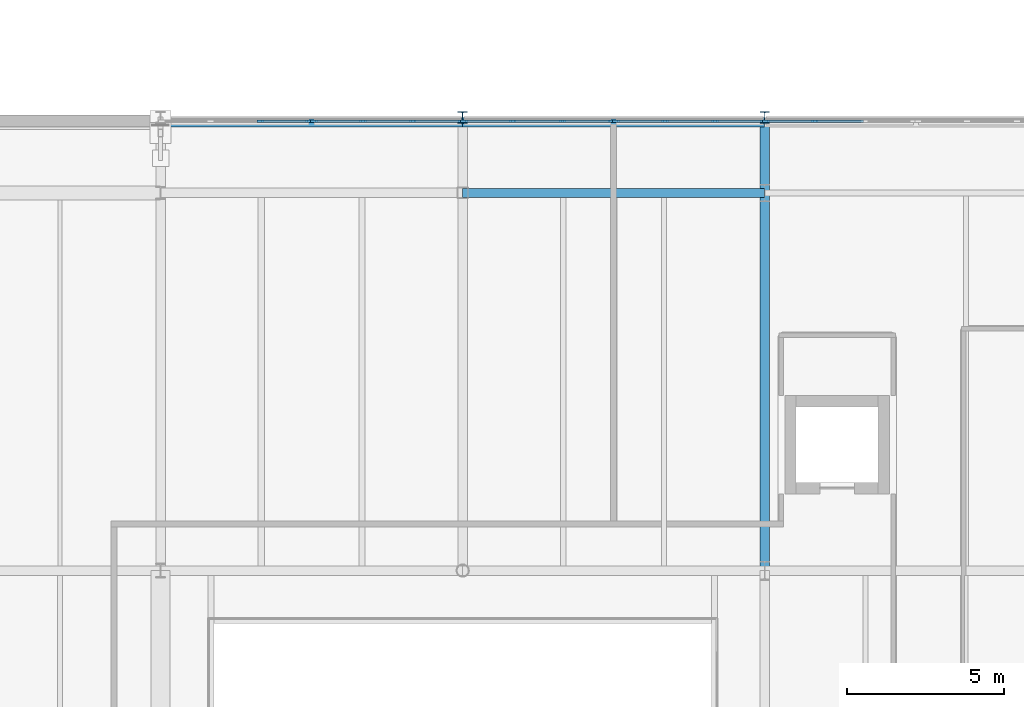
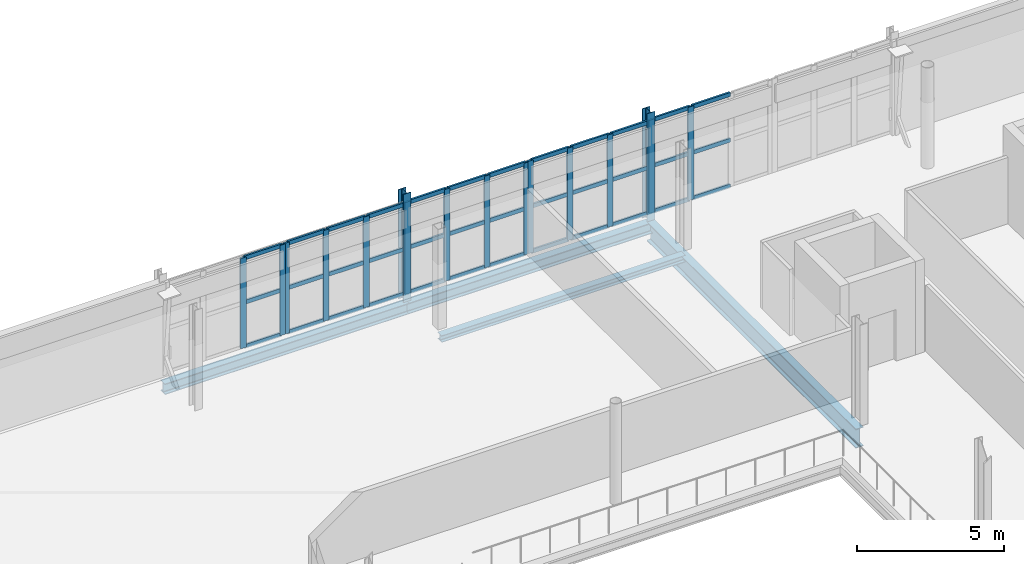
# One storey, part 31 of 90: 54 members, 4 beams, 5 elements without a shape of their own.
"""IFC4 building model written with IfcOpenShell, lengths in metres."""

from ifc_helpers import new_model, si_unit, direction, frame, origin, origin_2d, place, context, subcontext, project, spatial, rectangle, i_section, extrude, material, layer, layer_set, material_profile, profile_set, type_object, element, aggregate, save


model = new_model("IFC4")

# Units and contexts
model_context = context("Model", 3, precision=1e-05, world=origin(), true_north=direction((0.0, 1.0)))
body_context = subcontext(model_context, "Body", "Model", "MODEL_VIEW")
ifc_project = project(units=[si_unit("LENGTHUNIT", "METRE"), si_unit("AREAUNIT", "SQUARE_METRE"), si_unit("VOLUMEUNIT", "CUBIC_METRE"), si_unit("PLANEANGLEUNIT", "RADIAN"), si_unit("MASSUNIT", "GRAM", prefix="KILO")], contexts=[model_context])

# Site, building, storey
site_placement = place(None, origin())
site = spatial("IfcSite", under=ifc_project, at=site_placement, CompositionType="ELEMENT")
building_placement = place(site_placement, origin())
building = spatial("IfcBuilding", under=site, at=building_placement, Name="Zereglee Splitstone Museum", CompositionType="ELEMENT")
storey_placement = place(building_placement, frame((0.0, 0.0, 4.800048828125)))
storey = spatial("IfcBuildingStorey", under=building, at=storey_placement, Name="L01", CompositionType="ELEMENT", Elevation=4.800048828125)

# Curtain wall, members
ifc_material_1 = material(Name="Triple-glazed low-E argon glass and bronze-anodised aluminium", Category="aluminium")
ifc_layer_1 = layer(ifc_material_1, 0.219970703125)
ifc_layer_set_1 = layer_set([ifc_layer_1], Name="Triple-glazed low-E argon glass and bronze-anodised aluminium")
curtain_wall_type_1 = type_object("IfcCurtainWallType", Name="CW-0476-388", PredefinedType="USERDEFINED", material=ifc_layer_set_1)
curtain_wall_1_placement = place(storey_placement, origin())
curtain_wall_1 = element("IfcCurtainWall", 1, at=curtain_wall_1_placement, inside=storey, type_object=curtain_wall_type_1, Name="Glazed Curtain Wall CW-0476-388 (L01)", ObjectType="GLAZED CURTAIN WALL", PredefinedType="USERDEFINED")
ifc_material_2 = material(Name="Thermally broken bronze-anodised aluminium", Category="aluminium")
ifc_material_profile_1 = material_profile(ifc_material_2, rectangle(XDim=0.074951171875, YDim=0.219970703125, at=origin_2d()), Name="CW MULL 75x220")
ifc_profile_set_1 = profile_set([ifc_material_profile_1], Name="Thermally broken bronze-anodised aluminium")
member_type_1 = type_object("IfcMemberType", Name="CWM-02", PredefinedType="MULLION", material=ifc_profile_set_1)
member_1_placement = place(storey_placement, frame((117.986572265625, 52.679931640625, 0.0), z_axis=(0.0, 0.0, 1.0), x_axis=(0.0, -1.0, 0.0)))
member_1 = element("IfcMember", 2, at=member_1_placement, type_object=member_type_1, Name="CW-0476-388 mullion 3", PredefinedType="MULLION", context=body_context, shape_type="SweptSolid", body=[
    extrude(rectangle(XDim=0.074951171875, YDim=0.219970703125, at=origin_2d()), origin(), (0.0, 0.0, 1.0), 3.8798828125),
])
member_2_placement = place(storey_placement, frame((116.4375, 52.679931640625, 0.0), z_axis=(0.0, 0.0, 1.0), x_axis=(0.0, -1.0, 0.0)))
member_2 = element("IfcMember", 3, at=member_2_placement, type_object=member_type_1, Name="CW-0476-388 mullion 4", PredefinedType="MULLION", context=body_context, shape_type="SweptSolid", body=[
    extrude(rectangle(XDim=0.074951171875, YDim=0.219970703125, at=origin_2d()), origin(), (0.0, 0.0, 1.0), 3.8798828125),
])

ifc_layer_2 = layer(ifc_material_1, 0.219970703125)
ifc_layer_set_2 = layer_set([ifc_layer_2], Name="Triple-glazed low-E argon glass and bronze-anodised aluminium")
curtain_wall_type_2 = type_object("IfcCurtainWallType", Name="CW-0476-384", PredefinedType="USERDEFINED", material=ifc_layer_set_2)
curtain_wall_2_placement = place(storey_placement, origin())
curtain_wall_2 = element("IfcCurtainWall", 4, at=curtain_wall_2_placement, inside=storey, type_object=curtain_wall_type_2, Name="Glazed Curtain Wall CW-0476-384 (L01)", ObjectType="GLAZED CURTAIN WALL", PredefinedType="USERDEFINED")
member_3_placement = place(storey_placement, frame((116.362548828125, 52.679931640625, 0.0), z_axis=(0.0, 0.0, 1.0), x_axis=(0.0, -1.0, 0.0)))
member_3 = element("IfcMember", 5, at=member_3_placement, type_object=member_type_1, Name="CW-0476-384 mullion 1", PredefinedType="MULLION", context=body_context, shape_type="SweptSolid", body=[
    extrude(rectangle(XDim=0.074951171875, YDim=0.219970703125, at=origin_2d()), origin(), (0.0, 0.0, 1.0), 3.83984375),
])
member_4_placement = place(storey_placement, frame((114.813232421875, 52.679931640625, 0.0), z_axis=(0.0, 0.0, 1.0), x_axis=(0.0, -1.0, 0.0)))
member_4 = element("IfcMember", 6, at=member_4_placement, type_object=member_type_1, Name="CW-0476-384 mullion 2", PredefinedType="MULLION", context=body_context, shape_type="SweptSolid", body=[
    extrude(rectangle(XDim=0.074951171875, YDim=0.219970703125, at=origin_2d()), origin(), (0.0, 0.0, 1.0), 3.83984375),
])
member_5_placement = place(storey_placement, frame((113.2265625, 52.679931640625, 0.0), z_axis=(0.0, 0.0, 1.0), x_axis=(0.0, -1.0, 0.0)))
member_5 = element("IfcMember", 7, at=member_5_placement, type_object=member_type_1, Name="CW-0476-384 mullion 3", PredefinedType="MULLION", context=body_context, shape_type="SweptSolid", body=[
    extrude(rectangle(XDim=0.074951171875, YDim=0.219970703125, at=origin_2d()), origin(), (0.0, 0.0, 1.0), 3.83984375),
])
member_6_placement = place(storey_placement, frame((111.677490234375, 52.679931640625, 0.0), z_axis=(0.0, 0.0, 1.0), x_axis=(0.0, -1.0, 0.0)))
member_6 = element("IfcMember", 8, at=member_6_placement, type_object=member_type_1, Name="CW-0476-384 mullion 4", PredefinedType="MULLION", context=body_context, shape_type="SweptSolid", body=[
    extrude(rectangle(XDim=0.074951171875, YDim=0.219970703125, at=origin_2d()), origin(), (0.0, 0.0, 1.0), 3.83984375),
])

ifc_layer_3 = layer(ifc_material_1, 0.219970703125)
ifc_layer_set_3 = layer_set([ifc_layer_3], Name="Triple-glazed low-E argon glass and bronze-anodised aluminium")
curtain_wall_type_3 = type_object("IfcCurtainWallType", Name="CW-0476-382", PredefinedType="USERDEFINED", material=ifc_layer_set_3)
curtain_wall_3_placement = place(storey_placement, origin())
curtain_wall_3 = element("IfcCurtainWall", 9, at=curtain_wall_3_placement, inside=storey, type_object=curtain_wall_type_3, Name="Glazed Curtain Wall CW-0476-382 (L01)", ObjectType="GLAZED CURTAIN WALL", PredefinedType="USERDEFINED")
member_7_placement = place(storey_placement, frame((111.5224609375, 52.679931640625, 0.0), z_axis=(0.0, 0.0, 1.0), x_axis=(0.0, -1.0, 0.0)))
member_7 = element("IfcMember", 10, at=member_7_placement, type_object=member_type_1, Name="CW-0476-382 mullion 1", PredefinedType="MULLION", context=body_context, shape_type="SweptSolid", body=[
    extrude(rectangle(XDim=0.074951171875, YDim=0.219970703125, at=origin_2d()), origin(), (0.0, 0.0, 1.0), 3.820068359375),
])
member_8_placement = place(storey_placement, frame((109.973388671875, 52.679931640625, 0.0), z_axis=(0.0, 0.0, 1.0), x_axis=(0.0, -1.0, 0.0)))
member_8 = element("IfcMember", 11, at=member_8_placement, type_object=member_type_1, Name="CW-0476-382 mullion 2", PredefinedType="MULLION", context=body_context, shape_type="SweptSolid", body=[
    extrude(rectangle(XDim=0.074951171875, YDim=0.219970703125, at=origin_2d()), origin(), (0.0, 0.0, 1.0), 3.820068359375),
])
member_9_placement = place(storey_placement, frame((108.38671875, 52.679931640625, 0.0), z_axis=(0.0, 0.0, 1.0), x_axis=(0.0, -1.0, 0.0)))
member_9 = element("IfcMember", 12, at=member_9_placement, type_object=member_type_1, Name="CW-0476-382 mullion 3", PredefinedType="MULLION", context=body_context, shape_type="SweptSolid", body=[
    extrude(rectangle(XDim=0.074951171875, YDim=0.219970703125, at=origin_2d()), origin(), (0.0, 0.0, 1.0), 3.820068359375),
])
member_10_placement = place(storey_placement, frame((106.83740234375, 52.679931640625, 0.0), z_axis=(0.0, 0.0, 1.0), x_axis=(0.0, -1.0, 0.0)))
member_10 = element("IfcMember", 13, at=member_10_placement, type_object=member_type_1, Name="CW-0476-382 mullion 4", PredefinedType="MULLION", context=body_context, shape_type="SweptSolid", body=[
    extrude(rectangle(XDim=0.074951171875, YDim=0.219970703125, at=origin_2d()), origin(), (0.0, 0.0, 1.0), 3.820068359375),
])

ifc_layer_4 = layer(ifc_material_1, 0.219970703125)
ifc_layer_set_4 = layer_set([ifc_layer_4], Name="Triple-glazed low-E argon glass and bronze-anodised aluminium")
curtain_wall_type_4 = type_object("IfcCurtainWallType", Name="CW-0476-378", PredefinedType="USERDEFINED", material=ifc_layer_set_4)
curtain_wall_4_placement = place(storey_placement, origin())
curtain_wall_4 = element("IfcCurtainWall", 14, at=curtain_wall_4_placement, inside=storey, type_object=curtain_wall_type_4, Name="Glazed Curtain Wall CW-0476-378 (L01)", ObjectType="GLAZED CURTAIN WALL", PredefinedType="USERDEFINED")
member_11_placement = place(storey_placement, frame((106.762451171875, 52.679931640625, 0.0), z_axis=(0.0, 0.0, 1.0), x_axis=(0.0, -1.0, 0.0)))
member_11 = element("IfcMember", 15, at=member_11_placement, type_object=member_type_1, Name="CW-0476-378 mullion 1", PredefinedType="MULLION", context=body_context, shape_type="SweptSolid", body=[
    extrude(rectangle(XDim=0.074951171875, YDim=0.219970703125, at=origin_2d()), origin(), (0.0, 0.0, 1.0), 3.780029296875),
])
member_12_placement = place(storey_placement, frame((105.21337890625, 52.679931640625, 0.0), z_axis=(0.0, 0.0, 1.0), x_axis=(0.0, -1.0, 0.0)))
member_12 = element("IfcMember", 16, at=member_12_placement, type_object=member_type_1, Name="CW-0476-378 mullion 2", PredefinedType="MULLION", context=body_context, shape_type="SweptSolid", body=[
    extrude(rectangle(XDim=0.074951171875, YDim=0.219970703125, at=origin_2d()), origin(), (0.0, 0.0, 1.0), 3.780029296875),
])
member_13_placement = place(storey_placement, frame((103.626708984375, 52.679931640625, 0.0), z_axis=(0.0, 0.0, 1.0), x_axis=(0.0, -1.0, 0.0)))
member_13 = element("IfcMember", 17, at=member_13_placement, type_object=member_type_1, Name="CW-0476-378 mullion 3", PredefinedType="MULLION", context=body_context, shape_type="SweptSolid", body=[
    extrude(rectangle(XDim=0.074951171875, YDim=0.219970703125, at=origin_2d()), origin(), (0.0, 0.0, 1.0), 3.780029296875),
])
member_14_placement = place(storey_placement, frame((102.077392578125, 52.679931640625, 0.0), z_axis=(0.0, 0.0, 1.0), x_axis=(0.0, -1.0, 0.0)))
member_14 = element("IfcMember", 18, at=member_14_placement, type_object=member_type_1, Name="CW-0476-378 mullion 4", PredefinedType="MULLION", context=body_context, shape_type="SweptSolid", body=[
    extrude(rectangle(XDim=0.074951171875, YDim=0.219970703125, at=origin_2d()), origin(), (0.0, 0.0, 1.0), 3.780029296875),
])

ifc_layer_5 = layer(ifc_material_1, 0.219970703125)
ifc_layer_set_5 = layer_set([ifc_layer_5], Name="Triple-glazed low-E argon glass and bronze-anodised aluminium")
curtain_wall_type_5 = type_object("IfcCurtainWallType", Name="CW-0476-376", PredefinedType="USERDEFINED", material=ifc_layer_set_5)
curtain_wall_5_placement = place(storey_placement, origin())
curtain_wall_5 = element("IfcCurtainWall", 19, at=curtain_wall_5_placement, inside=storey, type_object=curtain_wall_type_5, Name="Glazed Curtain Wall CW-0476-376 (L01)", ObjectType="GLAZED CURTAIN WALL", PredefinedType="USERDEFINED")
member_15_placement = place(storey_placement, frame((101.922607421875, 52.679931640625, 0.0), z_axis=(0.0, 0.0, 1.0), x_axis=(0.0, -1.0, 0.0)))
member_15 = element("IfcMember", 20, at=member_15_placement, type_object=member_type_1, Name="CW-0476-376 mullion 1", PredefinedType="MULLION", context=body_context, shape_type="SweptSolid", body=[
    extrude(rectangle(XDim=0.074951171875, YDim=0.219970703125, at=origin_2d()), origin(), (0.0, 0.0, 1.0), 3.760009765625),
])
member_16_placement = place(storey_placement, frame((100.373291015625, 52.679931640625, 0.0), z_axis=(0.0, 0.0, 1.0), x_axis=(0.0, -1.0, 0.0)))
member_16 = element("IfcMember", 21, at=member_16_placement, type_object=member_type_1, Name="CW-0476-376 mullion 2", PredefinedType="MULLION", context=body_context, shape_type="SweptSolid", body=[
    extrude(rectangle(XDim=0.074951171875, YDim=0.219970703125, at=origin_2d()), origin(), (0.0, 0.0, 1.0), 3.760009765625),
])

# Member
ifc_material_profile_2 = material_profile(ifc_material_2, rectangle(XDim=0.074951171875, YDim=0.1650390625, at=origin_2d()), Name="CW TRAN 75x165")
ifc_profile_set_2 = profile_set([ifc_material_profile_2], Name="Thermally broken bronze-anodised aluminium")
member_type_2 = type_object("IfcMemberType", Name="CWT-02", PredefinedType="USERDEFINED", material=ifc_profile_set_2)
member_17_placement = place(storey_placement, frame((119.535888671875, 52.679931640625, 0.037353515625), z_axis=(-1.0, 0.0, 0.0), x_axis=(0.0, -1.0, 0.0)))
member_17 = element("IfcMember", 22, at=member_17_placement, type_object=member_type_2, Name="CW-0476-388 transom 2.1", ObjectType="TRANSOM", PredefinedType="USERDEFINED", context=body_context, shape_type="SweptSolid", body=[
    extrude(rectangle(XDim=0.074951171875, YDim=0.1650390625, at=origin_2d()), origin(), (0.0, 0.0, 1.0), 1.51171875),
])

member_18_placement = place(storey_placement, frame((119.535888671875, 52.679931640625, 1.93994140625), z_axis=(-1.0, 0.0, 0.0), x_axis=(0.0, -1.0, 0.0)))
member_18 = element("IfcMember", 23, at=member_18_placement, type_object=member_type_2, Name="CW-0476-388 transom 2.2", ObjectType="TRANSOM", PredefinedType="USERDEFINED", context=body_context, shape_type="SweptSolid", body=[
    extrude(rectangle(XDim=0.074951171875, YDim=0.1650390625, at=origin_2d()), origin(), (0.0, 0.0, 1.0), 1.51171875),
])

member_19_placement = place(storey_placement, frame((119.535888671875, 52.679931640625, 3.842529296875), z_axis=(-1.0, 0.0, 0.0), x_axis=(0.0, -1.0, 0.0)))
member_19 = element("IfcMember", 24, at=member_19_placement, type_object=member_type_2, Name="CW-0476-388 transom 2.3", ObjectType="TRANSOM", PredefinedType="USERDEFINED", context=body_context, shape_type="SweptSolid", body=[
    extrude(rectangle(XDim=0.074951171875, YDim=0.1650390625, at=origin_2d()), origin(), (0.0, 0.0, 1.0), 1.51171875),
])

member_20_placement = place(storey_placement, frame((117.94921875, 52.679931640625, 0.037353515625), z_axis=(-1.0, 0.0, 0.0), x_axis=(0.0, -1.0, 0.0)))
member_20 = element("IfcMember", 25, at=member_20_placement, type_object=member_type_2, Name="CW-0476-388 transom 3.1", ObjectType="TRANSOM", PredefinedType="USERDEFINED", context=body_context, shape_type="SweptSolid", body=[
    extrude(rectangle(XDim=0.074951171875, YDim=0.1650390625, at=origin_2d()), origin(), (0.0, 0.0, 1.0), 1.47412109375),
])

member_21_placement = place(storey_placement, frame((117.94921875, 52.679931640625, 1.93994140625), z_axis=(-1.0, 0.0, 0.0), x_axis=(0.0, -1.0, 0.0)))
member_21 = element("IfcMember", 26, at=member_21_placement, type_object=member_type_2, Name="CW-0476-388 transom 3.2", ObjectType="TRANSOM", PredefinedType="USERDEFINED", context=body_context, shape_type="SweptSolid", body=[
    extrude(rectangle(XDim=0.074951171875, YDim=0.1650390625, at=origin_2d()), origin(), (0.0, 0.0, 1.0), 1.47412109375),
])

member_22_placement = place(storey_placement, frame((117.94921875, 52.679931640625, 3.842529296875), z_axis=(-1.0, 0.0, 0.0), x_axis=(0.0, -1.0, 0.0)))
member_22 = element("IfcMember", 27, at=member_22_placement, type_object=member_type_2, Name="CW-0476-388 transom 3.3", ObjectType="TRANSOM", PredefinedType="USERDEFINED", context=body_context, shape_type="SweptSolid", body=[
    extrude(rectangle(XDim=0.074951171875, YDim=0.1650390625, at=origin_2d()), origin(), (0.0, 0.0, 1.0), 1.47412109375),
])

aggregate(curtain_wall_1, [member_1, member_2, member_17, member_18, member_19, member_20, member_21, member_22])

member_23_placement = place(storey_placement, frame((116.324951171875, 52.679931640625, 0.037353515625), z_axis=(-1.0, 0.0, 0.0), x_axis=(0.0, -1.0, 0.0)))
member_23 = element("IfcMember", 28, at=member_23_placement, type_object=member_type_2, Name="CW-0476-384 transom 1.1", ObjectType="TRANSOM", PredefinedType="USERDEFINED", context=body_context, shape_type="SweptSolid", body=[
    extrude(rectangle(XDim=0.074951171875, YDim=0.1650390625, at=origin_2d()), origin(), (0.0, 0.0, 1.0), 1.47412109375),
])

member_24_placement = place(storey_placement, frame((116.324951171875, 52.679931640625, 1.919921875), z_axis=(-1.0, 0.0, 0.0), x_axis=(0.0, -1.0, 0.0)))
member_24 = element("IfcMember", 29, at=member_24_placement, type_object=member_type_2, Name="CW-0476-384 transom 1.2", ObjectType="TRANSOM", PredefinedType="USERDEFINED", context=body_context, shape_type="SweptSolid", body=[
    extrude(rectangle(XDim=0.074951171875, YDim=0.1650390625, at=origin_2d()), origin(), (0.0, 0.0, 1.0), 1.47412109375),
])

member_25_placement = place(storey_placement, frame((116.324951171875, 52.679931640625, 3.802490234375), z_axis=(-1.0, 0.0, 0.0), x_axis=(0.0, -1.0, 0.0)))
member_25 = element("IfcMember", 30, at=member_25_placement, type_object=member_type_2, Name="CW-0476-384 transom 1.3", ObjectType="TRANSOM", PredefinedType="USERDEFINED", context=body_context, shape_type="SweptSolid", body=[
    extrude(rectangle(XDim=0.074951171875, YDim=0.1650390625, at=origin_2d()), origin(), (0.0, 0.0, 1.0), 1.47412109375),
])

member_26_placement = place(storey_placement, frame((114.77587890625, 52.679931640625, 0.037353515625), z_axis=(-1.0, 0.0, 0.0), x_axis=(0.0, -1.0, 0.0)))
member_26 = element("IfcMember", 31, at=member_26_placement, type_object=member_type_2, Name="CW-0476-384 transom 2.1", ObjectType="TRANSOM", PredefinedType="USERDEFINED", context=body_context, shape_type="SweptSolid", body=[
    extrude(rectangle(XDim=0.074951171875, YDim=0.1650390625, at=origin_2d()), origin(), (0.0, 0.0, 1.0), 1.51171875),
])

member_27_placement = place(storey_placement, frame((114.77587890625, 52.679931640625, 1.919921875), z_axis=(-1.0, 0.0, 0.0), x_axis=(0.0, -1.0, 0.0)))
member_27 = element("IfcMember", 32, at=member_27_placement, type_object=member_type_2, Name="CW-0476-384 transom 2.2", ObjectType="TRANSOM", PredefinedType="USERDEFINED", context=body_context, shape_type="SweptSolid", body=[
    extrude(rectangle(XDim=0.074951171875, YDim=0.1650390625, at=origin_2d()), origin(), (0.0, 0.0, 1.0), 1.51171875),
])

member_28_placement = place(storey_placement, frame((114.77587890625, 52.679931640625, 3.802490234375), z_axis=(-1.0, 0.0, 0.0), x_axis=(0.0, -1.0, 0.0)))
member_28 = element("IfcMember", 33, at=member_28_placement, type_object=member_type_2, Name="CW-0476-384 transom 2.3", ObjectType="TRANSOM", PredefinedType="USERDEFINED", context=body_context, shape_type="SweptSolid", body=[
    extrude(rectangle(XDim=0.074951171875, YDim=0.1650390625, at=origin_2d()), origin(), (0.0, 0.0, 1.0), 1.51171875),
])

member_29_placement = place(storey_placement, frame((113.189208984375, 52.679931640625, 0.037353515625), z_axis=(-1.0, 0.0, 0.0), x_axis=(0.0, -1.0, 0.0)))
member_29 = element("IfcMember", 34, at=member_29_placement, type_object=member_type_2, Name="CW-0476-384 transom 3.1", ObjectType="TRANSOM", PredefinedType="USERDEFINED", context=body_context, shape_type="SweptSolid", body=[
    extrude(rectangle(XDim=0.074951171875, YDim=0.1650390625, at=origin_2d()), origin(), (0.0, 0.0, 1.0), 1.47412109375),
])

member_30_placement = place(storey_placement, frame((113.189208984375, 52.679931640625, 1.919921875), z_axis=(-1.0, 0.0, 0.0), x_axis=(0.0, -1.0, 0.0)))
member_30 = element("IfcMember", 35, at=member_30_placement, type_object=member_type_2, Name="CW-0476-384 transom 3.2", ObjectType="TRANSOM", PredefinedType="USERDEFINED", context=body_context, shape_type="SweptSolid", body=[
    extrude(rectangle(XDim=0.074951171875, YDim=0.1650390625, at=origin_2d()), origin(), (0.0, 0.0, 1.0), 1.47412109375),
])

member_31_placement = place(storey_placement, frame((113.189208984375, 52.679931640625, 3.802490234375), z_axis=(-1.0, 0.0, 0.0), x_axis=(0.0, -1.0, 0.0)))
member_31 = element("IfcMember", 36, at=member_31_placement, type_object=member_type_2, Name="CW-0476-384 transom 3.3", ObjectType="TRANSOM", PredefinedType="USERDEFINED", context=body_context, shape_type="SweptSolid", body=[
    extrude(rectangle(XDim=0.074951171875, YDim=0.1650390625, at=origin_2d()), origin(), (0.0, 0.0, 1.0), 1.47412109375),
])

aggregate(curtain_wall_2, [member_3, member_4, member_5, member_6, member_23, member_24, member_25, member_26, member_27, member_28, member_29, member_30, member_31])

member_32_placement = place(storey_placement, frame((111.485107421875, 52.679931640625, 0.037353515625), z_axis=(-1.0, 0.0, 0.0), x_axis=(0.0, -1.0, 0.0)))
member_32 = element("IfcMember", 37, at=member_32_placement, type_object=member_type_2, Name="CW-0476-382 transom 1.1", ObjectType="TRANSOM", PredefinedType="USERDEFINED", context=body_context, shape_type="SweptSolid", body=[
    extrude(rectangle(XDim=0.074951171875, YDim=0.1650390625, at=origin_2d()), origin(), (0.0, 0.0, 1.0), 1.474365234375),
])

member_33_placement = place(storey_placement, frame((111.485107421875, 52.679931640625, 1.909912109375), z_axis=(-1.0, 0.0, 0.0), x_axis=(0.0, -1.0, 0.0)))
member_33 = element("IfcMember", 38, at=member_33_placement, type_object=member_type_2, Name="CW-0476-382 transom 1.2", ObjectType="TRANSOM", PredefinedType="USERDEFINED", context=body_context, shape_type="SweptSolid", body=[
    extrude(rectangle(XDim=0.074951171875, YDim=0.1650390625, at=origin_2d()), origin(), (0.0, 0.0, 1.0), 1.474365234375),
])

member_34_placement = place(storey_placement, frame((111.485107421875, 52.679931640625, 3.782470703125), z_axis=(-1.0, 0.0, 0.0), x_axis=(0.0, -1.0, 0.0)))
member_34 = element("IfcMember", 39, at=member_34_placement, type_object=member_type_2, Name="CW-0476-382 transom 1.3", ObjectType="TRANSOM", PredefinedType="USERDEFINED", context=body_context, shape_type="SweptSolid", body=[
    extrude(rectangle(XDim=0.074951171875, YDim=0.1650390625, at=origin_2d()), origin(), (0.0, 0.0, 1.0), 1.474365234375),
])

member_35_placement = place(storey_placement, frame((109.935791015625, 52.679931640625, 0.037353515625), z_axis=(-1.0, 0.0, 0.0), x_axis=(0.0, -1.0, 0.0)))
member_35 = element("IfcMember", 40, at=member_35_placement, type_object=member_type_2, Name="CW-0476-382 transom 2.1", ObjectType="TRANSOM", PredefinedType="USERDEFINED", context=body_context, shape_type="SweptSolid", body=[
    extrude(rectangle(XDim=0.074951171875, YDim=0.1650390625, at=origin_2d()), origin(), (0.0, 0.0, 1.0), 1.51171875),
])

member_36_placement = place(storey_placement, frame((109.935791015625, 52.679931640625, 1.909912109375), z_axis=(-1.0, 0.0, 0.0), x_axis=(0.0, -1.0, 0.0)))
member_36 = element("IfcMember", 41, at=member_36_placement, type_object=member_type_2, Name="CW-0476-382 transom 2.2", ObjectType="TRANSOM", PredefinedType="USERDEFINED", context=body_context, shape_type="SweptSolid", body=[
    extrude(rectangle(XDim=0.074951171875, YDim=0.1650390625, at=origin_2d()), origin(), (0.0, 0.0, 1.0), 1.51171875),
])

member_37_placement = place(storey_placement, frame((109.935791015625, 52.679931640625, 3.782470703125), z_axis=(-1.0, 0.0, 0.0), x_axis=(0.0, -1.0, 0.0)))
member_37 = element("IfcMember", 42, at=member_37_placement, type_object=member_type_2, Name="CW-0476-382 transom 2.3", ObjectType="TRANSOM", PredefinedType="USERDEFINED", context=body_context, shape_type="SweptSolid", body=[
    extrude(rectangle(XDim=0.074951171875, YDim=0.1650390625, at=origin_2d()), origin(), (0.0, 0.0, 1.0), 1.51171875),
])

member_38_placement = place(storey_placement, frame((108.34912109375, 52.679931640625, 0.037353515625), z_axis=(-1.0, 0.0, 0.0), x_axis=(0.0, -1.0, 0.0)))
member_38 = element("IfcMember", 43, at=member_38_placement, type_object=member_type_2, Name="CW-0476-382 transom 3.1", ObjectType="TRANSOM", PredefinedType="USERDEFINED", context=body_context, shape_type="SweptSolid", body=[
    extrude(rectangle(XDim=0.074951171875, YDim=0.1650390625, at=origin_2d()), origin(), (0.0, 0.0, 1.0), 1.47412109375),
])

member_39_placement = place(storey_placement, frame((108.34912109375, 52.679931640625, 1.909912109375), z_axis=(-1.0, 0.0, 0.0), x_axis=(0.0, -1.0, 0.0)))
member_39 = element("IfcMember", 44, at=member_39_placement, type_object=member_type_2, Name="CW-0476-382 transom 3.2", ObjectType="TRANSOM", PredefinedType="USERDEFINED", context=body_context, shape_type="SweptSolid", body=[
    extrude(rectangle(XDim=0.074951171875, YDim=0.1650390625, at=origin_2d()), origin(), (0.0, 0.0, 1.0), 1.47412109375),
])

member_40_placement = place(storey_placement, frame((108.34912109375, 52.679931640625, 3.782470703125), z_axis=(-1.0, 0.0, 0.0), x_axis=(0.0, -1.0, 0.0)))
member_40 = element("IfcMember", 45, at=member_40_placement, type_object=member_type_2, Name="CW-0476-382 transom 3.3", ObjectType="TRANSOM", PredefinedType="USERDEFINED", context=body_context, shape_type="SweptSolid", body=[
    extrude(rectangle(XDim=0.074951171875, YDim=0.1650390625, at=origin_2d()), origin(), (0.0, 0.0, 1.0), 1.47412109375),
])

aggregate(curtain_wall_3, [member_7, member_8, member_9, member_10, member_32, member_33, member_34, member_35, member_36, member_37, member_38, member_39, member_40])

member_41_placement = place(storey_placement, frame((106.72509765625, 52.679931640625, 0.037353515625), z_axis=(-1.0, 0.0, 0.0), x_axis=(0.0, -1.0, 0.0)))
member_41 = element("IfcMember", 46, at=member_41_placement, type_object=member_type_2, Name="CW-0476-378 transom 1.1", ObjectType="TRANSOM", PredefinedType="USERDEFINED", context=body_context, shape_type="SweptSolid", body=[
    extrude(rectangle(XDim=0.074951171875, YDim=0.1650390625, at=origin_2d()), origin(), (0.0, 0.0, 1.0), 1.474365234375),
])

member_42_placement = place(storey_placement, frame((106.72509765625, 52.679931640625, 1.889892578125), z_axis=(-1.0, 0.0, 0.0), x_axis=(0.0, -1.0, 0.0)))
member_42 = element("IfcMember", 47, at=member_42_placement, type_object=member_type_2, Name="CW-0476-378 transom 1.2", ObjectType="TRANSOM", PredefinedType="USERDEFINED", context=body_context, shape_type="SweptSolid", body=[
    extrude(rectangle(XDim=0.074951171875, YDim=0.1650390625, at=origin_2d()), origin(), (0.0, 0.0, 1.0), 1.474365234375),
])

member_43_placement = place(storey_placement, frame((106.72509765625, 52.679931640625, 3.742431640625), z_axis=(-1.0, 0.0, 0.0), x_axis=(0.0, -1.0, 0.0)))
member_43 = element("IfcMember", 48, at=member_43_placement, type_object=member_type_2, Name="CW-0476-378 transom 1.3", ObjectType="TRANSOM", PredefinedType="USERDEFINED", context=body_context, shape_type="SweptSolid", body=[
    extrude(rectangle(XDim=0.074951171875, YDim=0.1650390625, at=origin_2d()), origin(), (0.0, 0.0, 1.0), 1.474365234375),
])

member_44_placement = place(storey_placement, frame((105.17578125, 52.679931640625, 0.037353515625), z_axis=(-1.0, 0.0, 0.0), x_axis=(0.0, -1.0, 0.0)))
member_44 = element("IfcMember", 49, at=member_44_placement, type_object=member_type_2, Name="CW-0476-378 transom 2.1", ObjectType="TRANSOM", PredefinedType="USERDEFINED", context=body_context, shape_type="SweptSolid", body=[
    extrude(rectangle(XDim=0.074951171875, YDim=0.1650390625, at=origin_2d()), origin(), (0.0, 0.0, 1.0), 1.51171875),
])

member_45_placement = place(storey_placement, frame((105.17578125, 52.679931640625, 1.889892578125), z_axis=(-1.0, 0.0, 0.0), x_axis=(0.0, -1.0, 0.0)))
member_45 = element("IfcMember", 50, at=member_45_placement, type_object=member_type_2, Name="CW-0476-378 transom 2.2", ObjectType="TRANSOM", PredefinedType="USERDEFINED", context=body_context, shape_type="SweptSolid", body=[
    extrude(rectangle(XDim=0.074951171875, YDim=0.1650390625, at=origin_2d()), origin(), (0.0, 0.0, 1.0), 1.51171875),
])

member_46_placement = place(storey_placement, frame((105.17578125, 52.679931640625, 3.742431640625), z_axis=(-1.0, 0.0, 0.0), x_axis=(0.0, -1.0, 0.0)))
member_46 = element("IfcMember", 51, at=member_46_placement, type_object=member_type_2, Name="CW-0476-378 transom 2.3", ObjectType="TRANSOM", PredefinedType="USERDEFINED", context=body_context, shape_type="SweptSolid", body=[
    extrude(rectangle(XDim=0.074951171875, YDim=0.1650390625, at=origin_2d()), origin(), (0.0, 0.0, 1.0), 1.51171875),
])

member_47_placement = place(storey_placement, frame((103.589111328125, 52.679931640625, 0.037353515625), z_axis=(-1.0, 0.0, 0.0), x_axis=(0.0, -1.0, 0.0)))
member_47 = element("IfcMember", 52, at=member_47_placement, type_object=member_type_2, Name="CW-0476-378 transom 3.1", ObjectType="TRANSOM", PredefinedType="USERDEFINED", context=body_context, shape_type="SweptSolid", body=[
    extrude(rectangle(XDim=0.074951171875, YDim=0.1650390625, at=origin_2d()), origin(), (0.0, 0.0, 1.0), 1.47412109375),
])

member_48_placement = place(storey_placement, frame((103.589111328125, 52.679931640625, 1.889892578125), z_axis=(-1.0, 0.0, 0.0), x_axis=(0.0, -1.0, 0.0)))
member_48 = element("IfcMember", 53, at=member_48_placement, type_object=member_type_2, Name="CW-0476-378 transom 3.2", ObjectType="TRANSOM", PredefinedType="USERDEFINED", context=body_context, shape_type="SweptSolid", body=[
    extrude(rectangle(XDim=0.074951171875, YDim=0.1650390625, at=origin_2d()), origin(), (0.0, 0.0, 1.0), 1.47412109375),
])

member_49_placement = place(storey_placement, frame((103.589111328125, 52.679931640625, 3.742431640625), z_axis=(-1.0, 0.0, 0.0), x_axis=(0.0, -1.0, 0.0)))
member_49 = element("IfcMember", 54, at=member_49_placement, type_object=member_type_2, Name="CW-0476-378 transom 3.3", ObjectType="TRANSOM", PredefinedType="USERDEFINED", context=body_context, shape_type="SweptSolid", body=[
    extrude(rectangle(XDim=0.074951171875, YDim=0.1650390625, at=origin_2d()), origin(), (0.0, 0.0, 1.0), 1.47412109375),
])

aggregate(curtain_wall_4, [member_11, member_12, member_13, member_14, member_41, member_42, member_43, member_44, member_45, member_46, member_47, member_48, member_49])

member_50_placement = place(storey_placement, frame((101.885009765625, 52.679931640625, 0.037353515625), z_axis=(-1.0, 0.0, 0.0), x_axis=(0.0, -1.0, 0.0)))
member_50 = element("IfcMember", 55, at=member_50_placement, type_object=member_type_2, Name="CW-0476-376 transom 1.1", ObjectType="TRANSOM", PredefinedType="USERDEFINED", context=body_context, shape_type="SweptSolid", body=[
    extrude(rectangle(XDim=0.074951171875, YDim=0.1650390625, at=origin_2d()), origin(), (0.0, 0.0, 1.0), 1.47412109375),
])

member_51_placement = place(storey_placement, frame((101.885009765625, 52.679931640625, 1.8798828125), z_axis=(-1.0, 0.0, 0.0), x_axis=(0.0, -1.0, 0.0)))
member_51 = element("IfcMember", 56, at=member_51_placement, type_object=member_type_2, Name="CW-0476-376 transom 1.2", ObjectType="TRANSOM", PredefinedType="USERDEFINED", context=body_context, shape_type="SweptSolid", body=[
    extrude(rectangle(XDim=0.074951171875, YDim=0.1650390625, at=origin_2d()), origin(), (0.0, 0.0, 1.0), 1.47412109375),
])

member_52_placement = place(storey_placement, frame((101.885009765625, 52.679931640625, 3.722412109375), z_axis=(-1.0, 0.0, 0.0), x_axis=(0.0, -1.0, 0.0)))
member_52 = element("IfcMember", 57, at=member_52_placement, type_object=member_type_2, Name="CW-0476-376 transom 1.3", ObjectType="TRANSOM", PredefinedType="USERDEFINED", context=body_context, shape_type="SweptSolid", body=[
    extrude(rectangle(XDim=0.074951171875, YDim=0.1650390625, at=origin_2d()), origin(), (0.0, 0.0, 1.0), 1.47412109375),
])

aggregate(curtain_wall_5, [member_15, member_16, member_50, member_51, member_52])

# Members
ifc_material_3 = material(Name="Steel S355J2", Category="steel")
ifc_material_profile_3 = material_profile(ifc_material_3, i_section(OverallWidth=0.300048828125, OverallDepth=0.360107421875, WebThickness=0.012451171875, FlangeThickness=0.0224609375, FilletRadius=0.027099609375, at=origin_2d()), Name="HE 360 B")
ifc_profile_set_3 = profile_set([ifc_material_profile_3], Name="Steel S355J2")
member_type_3 = type_object("IfcMemberType", Name="TC-06", PredefinedType="CHORD", material=ifc_profile_set_3)
for number, where, z_axis, x_axis, name in (
    (58, (106.800048828125, 52.800048828125, -0.35009765625), (0.0, 0.0, 1.0), (1.0, 0.0, 0.0), "Mughal Guldasta Hovering Portal Pier G10 L01"),
    (59, (116.39990234375, 52.800048828125, -0.35009765625), (0.0, 0.0, 1.0), (1.0, 0.0, 0.0), "Mughal Guldasta Hovering Portal Pier G11 L01"),
):
    element("IfcMember", number, at=place(storey_placement, frame(where, z_axis=z_axis, x_axis=x_axis)), inside=storey, type_object=member_type_3, Name=name, PredefinedType="CHORD", context=body_context, shape_type="SweptSolid", body=[
        extrude(i_section(OverallWidth=0.300048828125, OverallDepth=0.360107421875, WebThickness=0.012451171875, FlangeThickness=0.0224609375, FilletRadius=0.027099609375, at=origin_2d()), origin(), (0.0, 0.0, 1.0), 4.550048828125),
    ])

# Beams
ifc_material_profile_4 = material_profile(ifc_material_3, i_section(OverallWidth=0.300048828125, OverallDepth=0.800048828125, WebThickness=0.017578125, FlangeThickness=0.032958984375, FilletRadius=0.030029296875, at=origin_2d()), Name="HE 800 B")
ifc_profile_set_4 = profile_set([ifc_material_profile_4], Name="Steel S355J2")
beam_type_1 = type_object("IfcBeamType", Name="BG-07", PredefinedType="BEAM", material=ifc_profile_set_4)
beam_1_placement = place(storey_placement, frame((116.39990234375, 38.39990234375, -0.699951171875), z_axis=(0.0, 1.0, 0.0), x_axis=(-1.0, 0.0, 0.0)))
element("IfcBeam", 60, at=beam_1_placement, inside=storey, type_object=beam_type_1, Name="Primary Girder L01 14 (38.4-52.6)", PredefinedType="BEAM", context=body_context, shape_type="SweptSolid", body=[
    extrude(i_section(OverallWidth=0.300048828125, OverallDepth=0.800048828125, WebThickness=0.017578125, FlangeThickness=0.032958984375, FilletRadius=0.030029296875, at=origin_2d()), origin(), (0.0, 0.0, 1.0), 14.25),
])
ifc_material_profile_5 = material_profile(ifc_material_3, i_section(OverallWidth=0.280029296875, OverallDepth=0.280029296875, WebThickness=0.010498046875, FlangeThickness=0.01806640625, FilletRadius=0.02392578125, at=origin_2d()), Name="HE 280 B")
ifc_profile_set_5 = profile_set([ifc_material_profile_5], Name="Steel S355J2")
beam_type_2 = type_object("IfcBeamType", Name="SP-03", PredefinedType="SPANDREL", material=ifc_profile_set_5)
beam_2_placement = place(storey_placement, frame((106.800048828125, 50.39990234375, -0.43994140625), z_axis=(1.0, 0.0, 0.0), x_axis=(0.0, 1.0, 0.0)))
element("IfcBeam", 61, at=beam_2_placement, inside=storey, type_object=beam_type_2, Name="Primary Girder L01 F (106.8-116.4)", PredefinedType="SPANDREL", context=body_context, shape_type="SweptSolid", body=[
    extrude(i_section(OverallWidth=0.280029296875, OverallDepth=0.280029296875, WebThickness=0.010498046875, FlangeThickness=0.01806640625, FilletRadius=0.02392578125, at=origin_2d()), origin(), (0.0, 0.0, 1.0), 9.599853515625),
])
ifc_material_profile_6 = material_profile(ifc_material_3, i_section(OverallWidth=0.300048828125, OverallDepth=0.449951171875, WebThickness=0.013916015625, FlangeThickness=0.02587890625, FilletRadius=0.027099609375, at=origin_2d()), Name="HE 450 B")
ifc_profile_set_6 = profile_set([ifc_material_profile_6], Name="Steel S355J2")
beam_type_3 = type_object("IfcBeamType", Name="SP-02", PredefinedType="SPANDREL", material=ifc_profile_set_6)
beam_3_placement = place(storey_placement, frame((97.199951171875, 52.64990234375, -0.525146484375), z_axis=(1.0, 0.0, 0.0), x_axis=(0.0, 1.0, 0.0)))
element("IfcBeam", 62, at=beam_3_placement, inside=storey, type_object=beam_type_3, Name="Hovering Soffit Spandrel L01 (97.2-106.8)", PredefinedType="SPANDREL", context=body_context, shape_type="SweptSolid", body=[
    extrude(i_section(OverallWidth=0.300048828125, OverallDepth=0.449951171875, WebThickness=0.013916015625, FlangeThickness=0.02587890625, FilletRadius=0.027099609375, at=origin_2d()), origin(), (0.0, 0.0, 1.0), 9.60009765625),
])
beam_4_placement = place(storey_placement, frame((106.800048828125, 52.64990234375, -0.525146484375), z_axis=(1.0, 0.0, 0.0), x_axis=(0.0, 1.0, 0.0)))
element("IfcBeam", 63, at=beam_4_placement, inside=storey, type_object=beam_type_3, Name="Hovering Soffit Spandrel L01 (106.8-116.4)", PredefinedType="SPANDREL", context=body_context, shape_type="SweptSolid", body=[
    extrude(i_section(OverallWidth=0.300048828125, OverallDepth=0.449951171875, WebThickness=0.013916015625, FlangeThickness=0.02587890625, FilletRadius=0.027099609375, at=origin_2d()), origin(), (0.0, 0.0, 1.0), 9.599853515625),
])

save(model, "model.ifc")
